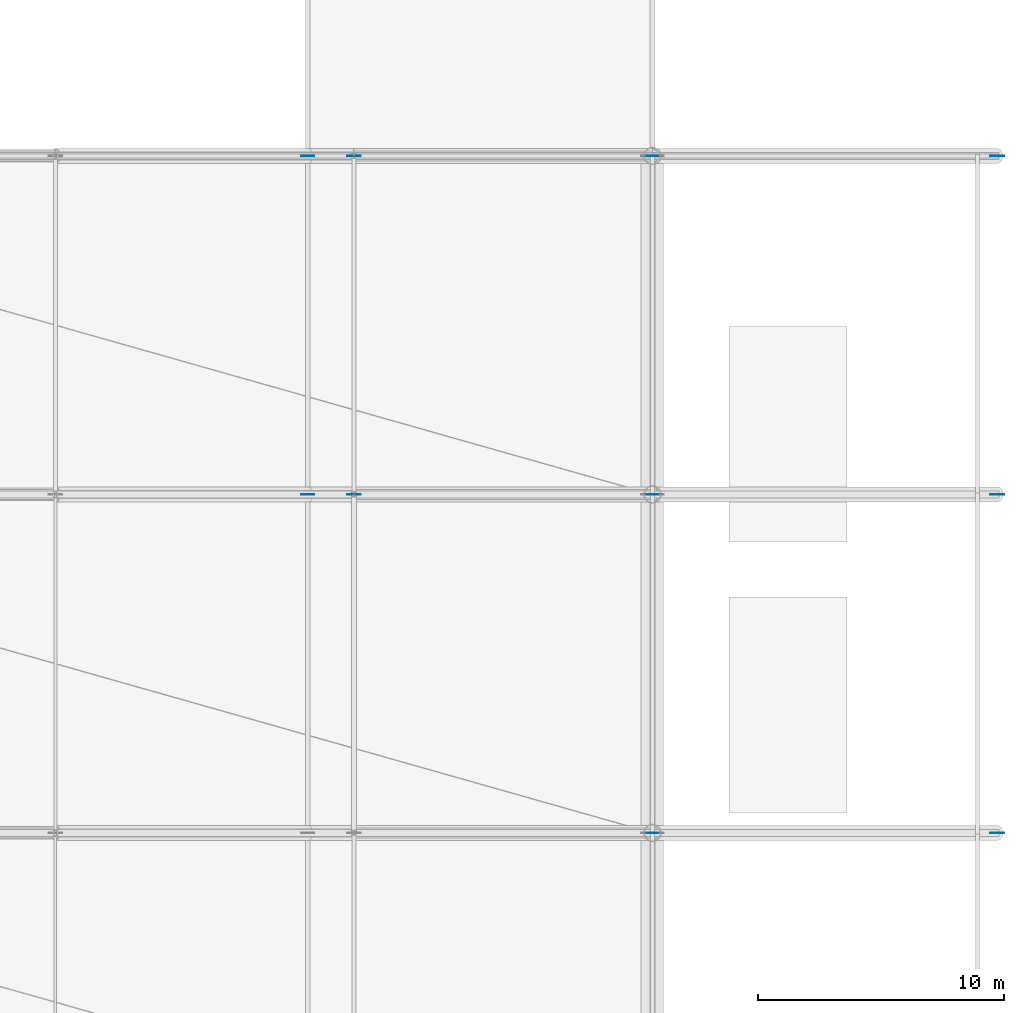
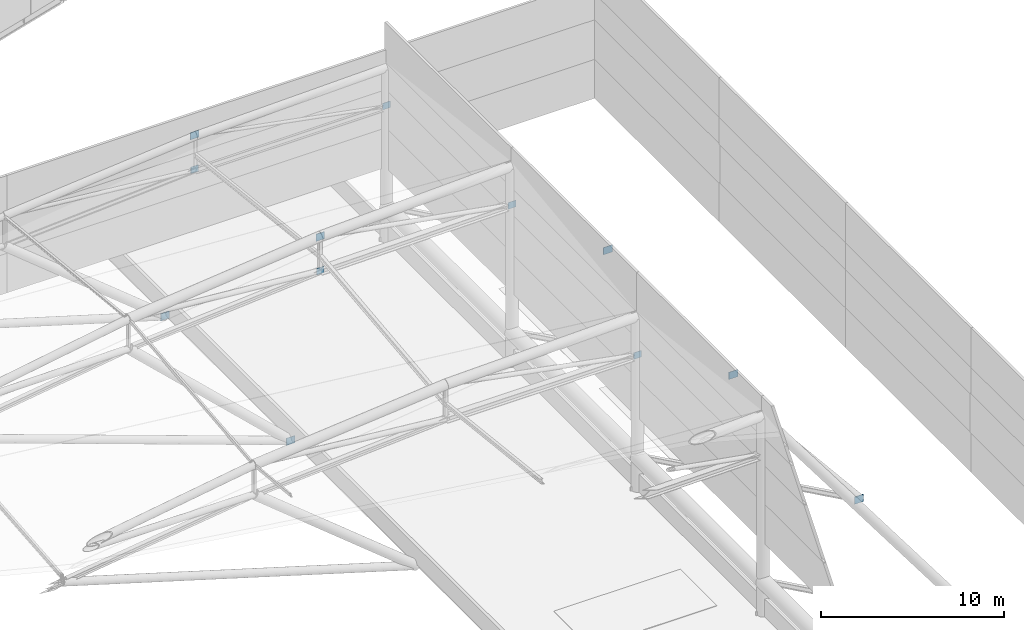
# One storey, part 91 of 113: 12 plates.
"""IFC4 building model written with IfcOpenShell, lengths in metres."""

import ifcopenshell
import ifcopenshell.guid

model = None  # the IFC model being written
_history = None  # IfcOwnerHistory: only IFC2X3 demands one
_inside = {}  # id of a spatial element -> (the spatial element, [elements in it])
_under = {}  # id of a project, library or spatial element -> (it, [spatial elements below it])
_declared = {}  # id of a project -> (the project, [libraries it declares])
_typed = {}  # id of a type object -> (the type object, [elements of that type])
_made_of = {}  # id of a material, layer set ... -> (it, [elements and type objects made of it])


def new_model(schema):
    """Start an empty IFC model of exactly this schema.

    Asked for "IFC4X3", IfcOpenShell would pick the latest addendum, in which some entities
    have other attributes; the version numbers below select the first issue.
    IFC2X3 requires an IfcOwnerHistory on every rooted entity: one is made here for all.
    """
    global model, _history
    if schema == "IFC4X3":
        model = ifcopenshell.file(schema_version=(4, 3, 0, 0))
    else:
        model = ifcopenshell.file(schema=schema)
    _inside.clear()
    _under.clear()
    _declared.clear()
    _typed.clear()
    _made_of.clear()
    _history = None
    if model.schema == "IFC2X3":
        org = make("IfcOrganization", Name="unknown")
        user = make(
            "IfcPersonAndOrganization",
            ThePerson=make("IfcPerson", FamilyName="unknown"),
            TheOrganization=org,
        )
        app = make(
            "IfcApplication",
            ApplicationDeveloper=org,
            Version="unknown",
            ApplicationFullName="unknown",
            ApplicationIdentifier="unknown",
        )
        _history = make(
            "IfcOwnerHistory",
            OwningUser=user,
            OwningApplication=app,
            ChangeAction="ADDED",
            CreationDate=0,
        )
    return model


def make(cls, **values):
    """One entity of the class cls with the attributes given. An attribute that is None is left unset."""
    return model.create_entity(
        cls, **{name: value for name, value in values.items() if value is not None}
    )


def rooted(cls, **values):
    """An entity with a GlobalId (a new one), such as an element, a storey or a relation."""
    return make(cls, GlobalId=ifcopenshell.guid.new(), OwnerHistory=_history, **values)


def si_unit(unit_type, name, prefix=None):
    """IfcSIUnit, for example si_unit("LENGTHUNIT", "METRE", prefix="MILLI")."""
    return make("IfcSIUnit", UnitType=unit_type, Prefix=prefix, Name=name)


def assignment(units):
    """IfcUnitAssignment: the units of a project."""
    return None if units is None else make("IfcUnitAssignment", Units=units)


def point(xyz):
    """IfcCartesianPoint."""
    return None if xyz is None else make("IfcCartesianPoint", Coordinates=xyz)


def direction(xyz):
    """IfcDirection."""
    return None if xyz is None else make("IfcDirection", DirectionRatios=xyz)


def frame(location, z_axis=None, x_axis=None):
    """IfcAxis2Placement3D, a coordinate frame: its origin and axes. An axis left out is left unset."""
    return make(
        "IfcAxis2Placement3D",
        Location=point(location),
        Axis=direction(z_axis),
        RefDirection=direction(x_axis),
    )


def frame_2d(location, x_axis=None):
    """IfcAxis2Placement2D, a coordinate frame in the plane: its origin and x axis."""
    return make(
        "IfcAxis2Placement2D", Location=point(location), RefDirection=direction(x_axis)
    )


def origin():
    """The frame at (0, 0, 0) with its axes left unset."""
    return frame((0.0, 0.0, 0.0))


def origin_2d():
    """The frame at (0, 0) in the plane with its x axis left unset."""
    return frame_2d((0.0, 0.0))


def place(relative_to, where):
    """IfcLocalPlacement: puts the frame where relative to a parent placement (None: the world)."""
    return make(
        "IfcLocalPlacement", PlacementRelTo=relative_to, RelativePlacement=where
    )


def context(
    kind, dimensions, precision=None, world=None, true_north=None, identifier=None
):
    """IfcGeometricRepresentationContext, for example the 3D "Model" context."""
    return make(
        "IfcGeometricRepresentationContext",
        ContextIdentifier=identifier,
        ContextType=kind,
        CoordinateSpaceDimension=dimensions,
        Precision=precision,
        WorldCoordinateSystem=world,
        TrueNorth=true_north,
    )


def subcontext(parent, identifier, kind, view, scale=None):
    """IfcGeometricRepresentationSubContext, for example "Body" below "Model"."""
    return make(
        "IfcGeometricRepresentationSubContext",
        ContextIdentifier=identifier,
        ContextType=kind,
        ParentContext=parent,
        TargetScale=scale,
        TargetView=view,
    )


def project(units=None, contexts=None):
    """IfcProject with its units and contexts."""
    return rooted(
        "IfcProject",
        Name="project",
        RepresentationContexts=contexts,
        UnitsInContext=assignment(units),
    )


def spatial(cls, under=None, at=None, **own):
    """A site, building, storey or space (cls), placed at a placement, below another one or the project."""
    s = rooted(cls, ObjectPlacement=at, **own)
    if under is not None:
        _under.setdefault(under.id(), (under, []))[1].append(s)
    return s


def profile(cls, at=None, kind="AREA", **sizes):
    """A parametric profile (cls). Its sizes go by their IFC names, for example OverallWidth=200.0."""
    return make(cls, ProfileType=kind, Position=at, **sizes)


def rectangle(**sizes):
    """IfcRectangleProfileDef."""
    return profile("IfcRectangleProfileDef", **sizes)


def extrude(swept, where, along, depth):
    """IfcExtrudedAreaSolid: the profile swept, set in the frame where, extruded along a direction by depth."""
    return make(
        "IfcExtrudedAreaSolid",
        SweptArea=swept,
        Position=where,
        ExtrudedDirection=direction(along),
        Depth=depth,
    )


def shape(context_of_items, identifier, shape_type, items):
    """IfcShapeRepresentation: the items that make up one representation, for example the "Body"."""
    return make(
        "IfcShapeRepresentation",
        ContextOfItems=context_of_items,
        RepresentationIdentifier=identifier,
        RepresentationType=shape_type,
        Items=items,
    )


def material(Name=None, Category=None):
    """IfcMaterial."""
    return make("IfcMaterial", Name=Name, Category=Category)


def layer(
    of_material, thickness, ventilated=None, Name=None, Category=None, Priority=None
):
    """IfcMaterialLayer: one layer of a wall or slab, of a material (None: an air gap)."""
    return make(
        "IfcMaterialLayer",
        Material=of_material,
        LayerThickness=thickness,
        IsVentilated=ventilated,
        Name=Name,
        Category=Category,
        Priority=Priority,
    )


def layer_set(layers, Name=None):
    """IfcMaterialLayerSet."""
    return make("IfcMaterialLayerSet", MaterialLayers=layers, LayerSetName=Name)


def made_of(thing, what):
    """Note that an element or type object is made of a material, layer set ...; save() writes the relation."""
    if what is not None:
        _made_of.setdefault(what.id(), (what, []))[1].append(thing)
    return thing


def type_object(cls, material=None, **own):
    """A type object (cls), such as IfcWallType, which elements share."""
    return made_of(rooted(cls, **own), material)


def element(
    cls,
    number,
    at=None,
    inside=None,
    cuts=None,
    type_object=None,
    material=None,
    context=None,
    identifier="Body",
    shape_type=None,
    held_by="IfcProductDefinitionShape",
    body=None,
    shapes=None,
    **own,
):
    """One element of the class cls, such as IfcWall. Its Tag is "e" and its number.

    at: its placement. inside: the storey or other place that contains it. cuts: it is an
    opening in that element (IfcRelVoidsElement). A single representation is given by context,
    identifier, shape_type and body (its items); several are given by shapes. held_by: the class
    of the entity that holds the representations. save() writes the other relations.
    """
    e = rooted(cls, Tag="e%d" % number, ObjectPlacement=at, **own)
    if body is not None:
        shapes = [shape(context, identifier, shape_type, body)]
    if shapes is not None:
        e.Representation = make(held_by, Representations=shapes)
    if inside is not None:
        _inside.setdefault(inside.id(), (inside, []))[1].append(e)
    if cuts is not None:
        rooted(
            "IfcRelVoidsElement", RelatingBuildingElement=cuts, RelatedOpeningElement=e
        )
    if type_object is not None:
        _typed.setdefault(type_object.id(), (type_object, []))[1].append(e)
    return made_of(e, material)


def aggregate(whole, parts):
    """IfcRelAggregates: a whole, such as a stair, and the parts it consists of."""
    return rooted("IfcRelAggregates", RelatingObject=whole, RelatedObjects=parts)


def save(model, path):
    """Write the relations noted so far, then the file.

    IfcRelAggregates (storeys below a building ...), IfcRelContainedInSpatialStructure (elements
    in a storey), IfcRelDefinesByType, IfcRelAssociatesMaterial and IfcRelDeclares: one each for
    every whole, place, type object, material and project.
    """
    for whole, parts in _under.values():
        aggregate(whole, parts)
    for where, things in _inside.values():
        rooted(
            "IfcRelContainedInSpatialStructure",
            RelatedElements=things,
            RelatingStructure=where,
        )
    for kind, things in _typed.values():
        rooted("IfcRelDefinesByType", RelatedObjects=things, RelatingType=kind)
    for what, things in _made_of.values():
        rooted("IfcRelAssociatesMaterial", RelatedObjects=things, RelatingMaterial=what)
    for by, libraries in _declared.values():
        rooted("IfcRelDeclares", RelatingContext=by, RelatedDefinitions=libraries)
    model.write(path)


model = new_model("IFC4")

# Units and contexts
model_context = context("Model", 3, precision=1e-05, world=origin(), true_north=direction((0.0, 1.0)))
body_context = subcontext(model_context, "Body", "Model", "MODEL_VIEW")
ifc_project = project(units=[si_unit("LENGTHUNIT", "METRE"), si_unit("AREAUNIT", "SQUARE_METRE"), si_unit("VOLUMEUNIT", "CUBIC_METRE"), si_unit("PLANEANGLEUNIT", "RADIAN"), si_unit("MASSUNIT", "GRAM", prefix="KILO")], contexts=[model_context])

# Site, building, storey
site_placement = place(None, origin())
site = spatial("IfcSite", under=ifc_project, at=site_placement, CompositionType="ELEMENT")
building_placement = place(site_placement, origin())
building = spatial("IfcBuilding", under=site, at=building_placement, Name="Linyun Crest Stadium", CompositionType="ELEMENT")
storey_placement = place(building_placement, frame((0.0, 0.0, 26.39990234375)))
storey = spatial("IfcBuildingStorey", under=building, at=storey_placement, Name="L06", CompositionType="ELEMENT", Elevation=26.39990234375)

# Plates
ifc_material_1 = material(Name="Steel Q355C", Category="steel")
ifc_layer_1 = layer(ifc_material_1, 0.02392578125)
ifc_layer_set_1 = layer_set([ifc_layer_1], Name="Steel Q355C")
plate_type_1 = type_object("IfcPlateType", Name="NP01", PredefinedType="USERDEFINED", material=ifc_layer_set_1)
for number, where, z_axis, x_axis, name in (
    (1, (84.0, 15.875, 8.730224609375), (0.0, 0.0, 1.0), (1.0, 0.0, 0.0), "Roof bottom-chord node gusset plate NP01 177"),
    (2, (84.0, 29.625, 10.43017578125), (0.0, 0.0, 1.0), (1.0, 0.0, 0.0), "Roof bottom-chord node gusset plate NP01 190"),
    (3, (71.875, 29.625, 10.26806640625), (0.0, 0.0, 1.0), (1.0, 0.0, 0.0), "Roof bottom-chord node gusset plate NP01 191"),
    (4, (84.0, 43.375, 8.730224609375), (0.0, 0.0, 1.0), (1.0, 0.0, 0.0), "Roof bottom-chord node gusset plate NP01 203"),
    (5, (71.875, 43.375, 8.717041015625), (0.0, 0.0, 1.0), (1.0, 0.0, 0.0), "Roof bottom-chord node gusset plate NP01 204"),
):
    element("IfcPlate", number, at=place(storey_placement, frame(where, z_axis=z_axis, x_axis=x_axis)), inside=storey, type_object=plate_type_1, Name=name, ObjectType="GUSSET PLATE", PredefinedType="USERDEFINED", context=body_context, shape_type="SweptSolid", body=[
        extrude(rectangle(XDim=0.47998046875, YDim=0.02392578125, at=origin_2d()), origin(), (0.0, 0.0, 1.0), 0.43994140625),
    ])
ifc_material_2 = material(Name="Steel Q420C", Category="steel")
ifc_layer_2 = layer(ifc_material_2, 0.028076171875)
ifc_layer_set_2 = layer_set([ifc_layer_2], Name="Steel Q420C")
plate_type_2 = type_object("IfcPlateType", Name="NP02", PredefinedType="USERDEFINED", material=ifc_layer_set_2)
for number, where, z_axis, x_axis, name in (
    (6, (71.875, 29.625, 12.5361328125), (0.0, 0.0, 1.0), (1.0, 0.0, 0.0), "Roof truss node gusset plate NP02 185"),
    (7, (70.0, 29.625, -0.454833984375), (0.0, 0.0, 1.0), (1.0, 0.0, 0.0), "Roof V-strut base gusset plate NP02 195"),
    (8, (71.875, 43.375, 10.985107421875), (0.0, 0.0, 1.0), (1.0, 0.0, 0.0), "Roof truss node gusset plate NP02 198"),
    (9, (70.0, 43.375, -0.454833984375), (0.0, 0.0, 1.0), (1.0, 0.0, 0.0), "Roof V-strut base gusset plate NP02 208"),
):
    element("IfcPlate", number, at=place(storey_placement, frame(where, z_axis=z_axis, x_axis=x_axis)), inside=storey, type_object=plate_type_2, Name=name, ObjectType="GUSSET PLATE", PredefinedType="USERDEFINED", context=body_context, shape_type="SweptSolid", body=[
        extrude(rectangle(XDim=0.5400390625, YDim=0.028076171875, at=origin_2d()), origin(), (0.0, 0.0, 1.0), 0.47998046875),
    ])
ifc_material_3 = material(Name="Steel Q420C", Category="steel")
ifc_layer_3 = layer(ifc_material_3, 0.031982421875)
ifc_layer_set_3 = layer_set([ifc_layer_3], Name="Steel Q420C")
plate_type_3 = type_object("IfcPlateType", Name="NP03", PredefinedType="USERDEFINED", material=ifc_layer_set_3)
for number, where, z_axis, x_axis, name in (
    (10, (98.0, 15.875, -5.83984375), (0.0, 0.0, 1.0), (1.0, 0.0, 0.0), "Roof back-stay anchor gusset plate NP03 176"),
    (11, (98.0, 29.625, -5.83984375), (0.0, 0.0, 1.0), (1.0, 0.0, 0.0), "Roof back-stay anchor gusset plate NP03 189"),
    (12, (98.0, 43.375, -5.83984375), (0.0, 0.0, 1.0), (1.0, 0.0, 0.0), "Roof back-stay anchor gusset plate NP03 202"),
):
    element("IfcPlate", number, at=place(storey_placement, frame(where, z_axis=z_axis, x_axis=x_axis)), inside=storey, type_object=plate_type_3, Name=name, ObjectType="GUSSET PLATE", PredefinedType="USERDEFINED", context=body_context, shape_type="SweptSolid", body=[
        extrude(rectangle(XDim=0.56005859375, YDim=0.031982421875, at=origin_2d()), origin(), (0.0, 0.0, 1.0), 0.47998046875),
    ])

save(model, "model.ifc")
